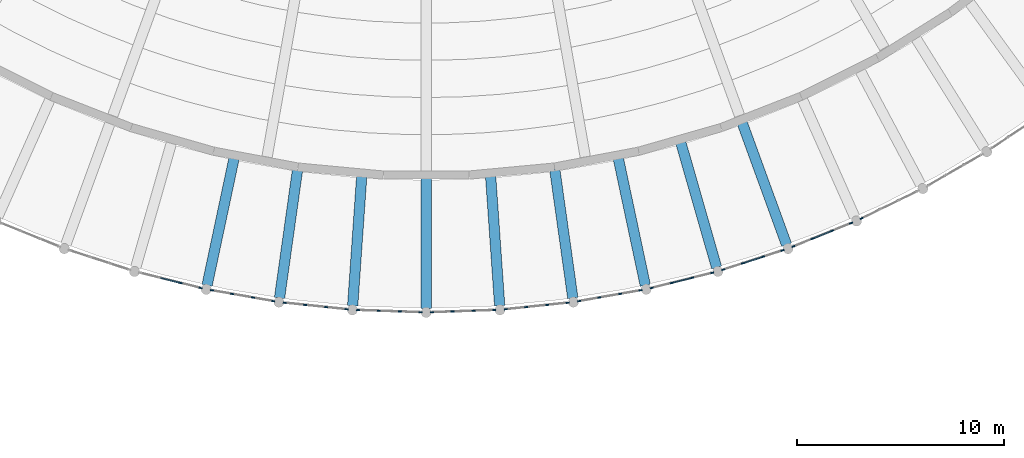
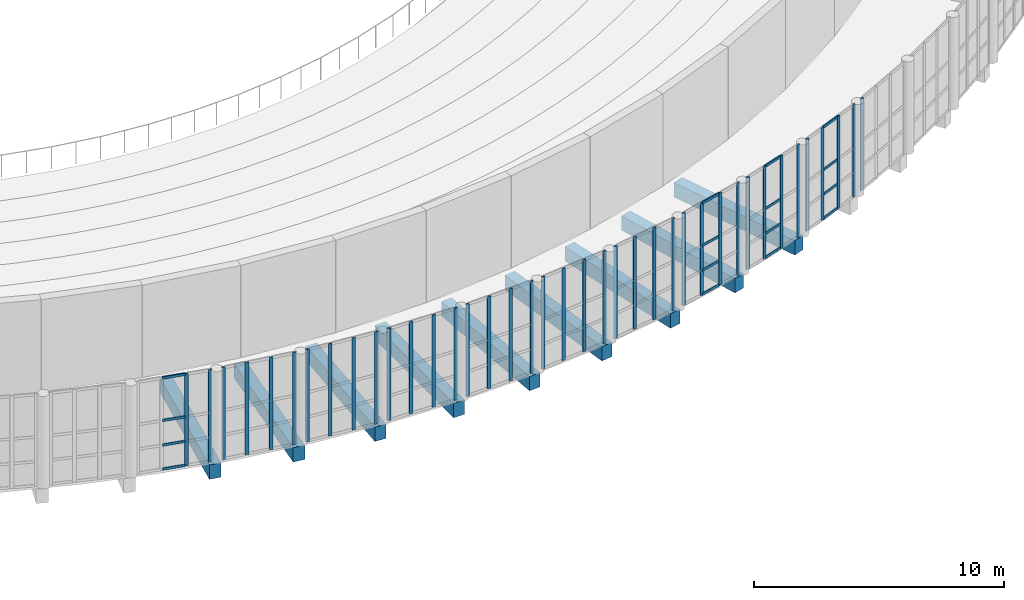
# One storey, part 44 of 162: 55 members, 9 beams, 11 elements without a shape of their own.
"""IFC4 building model written with IfcOpenShell, lengths in metres."""

from ifc_helpers import new_model, si_unit, direction, frame, origin, origin_2d, place, context, subcontext, project, spatial, rectangle, extrude, material, layer, layer_set, material_profile, profile_set, type_object, element, aggregate, save


model = new_model("IFC4")

# Units and contexts
model_context = context("Model", 3, precision=1e-05, world=origin(), true_north=direction((0.0, 1.0)))
body_context = subcontext(model_context, "Body", "Model", "MODEL_VIEW")
ifc_project = project(units=[si_unit("LENGTHUNIT", "METRE"), si_unit("AREAUNIT", "SQUARE_METRE"), si_unit("VOLUMEUNIT", "CUBIC_METRE"), si_unit("PLANEANGLEUNIT", "RADIAN"), si_unit("MASSUNIT", "GRAM", prefix="KILO")], contexts=[model_context])

# Site, building, storey
site_placement = place(None, origin())
site = spatial("IfcSite", under=ifc_project, at=site_placement, CompositionType="ELEMENT")
building_placement = place(site_placement, origin())
building = spatial("IfcBuilding", under=site, at=building_placement, Name="Rain Tree Exposition and Congress Centre", CompositionType="ELEMENT")
storey_placement = place(building_placement, frame((0.0, 0.0, 6.0)))
storey = spatial("IfcBuildingStorey", under=building, at=storey_placement, Name="L01", CompositionType="ELEMENT", Elevation=6.0)

# Curtain wall, members
ifc_material_1 = material(Name="Aluminium", Category="aluminium")
ifc_layer = layer(ifc_material_1, 0.10009765625)
ifc_layer_set = layer_set([ifc_layer], Name="Aluminium")
curtain_wall_type = type_object("IfcCurtainWallType", Name="Curtain wall congress", PredefinedType="NOTDEFINED", material=ifc_layer_set)
curtain_wall_1_placement = place(storey_placement, origin())
curtain_wall_1 = element("IfcCurtainWall", 1, at=curtain_wall_1_placement, inside=storey, type_object=curtain_wall_type, Name="Curtain wall L01 bay 7", PredefinedType="NOTDEFINED")
ifc_material_2 = material(Name="Aluminium", Category="aluminium")
ifc_material_profile_1 = material_profile(ifc_material_2, rectangle(XDim=0.06005859375, YDim=0.159912109375, at=origin_2d()), Name="AL 60x160")
ifc_profile_set_1 = profile_set([ifc_material_profile_1], Name="Aluminium")
member_type_1 = type_object("IfcMemberType", Name="Curtain wall mullion 60x160 congress", PredefinedType="MULLION", material=ifc_profile_set_1)
member_1_placement = place(storey_placement, frame((189.71826171875, 17.42724609375, 0.0), z_axis=(0.0, 0.0, 1.0), x_axis=(0.241923171133, 0.970295408249, 0.0)))
member_1 = element("IfcMember", 2, at=member_1_placement, type_object=member_type_1, Name="CWG207 mullion 3", PredefinedType="MULLION", context=body_context, shape_type="SweptSolid", body=[
    extrude(rectangle(XDim=0.06005859375, YDim=0.159912109375, at=origin_2d()), origin(), (0.0, 0.0, 1.0), 4.5),
])
member_2_placement = place(storey_placement, frame((190.68310546875, 17.1865234375, 0.0), z_axis=(0.0, 0.0, 1.0), x_axis=(0.241923171133, 0.970295408249, 0.0)))
member_2 = element("IfcMember", 3, at=member_2_placement, type_object=member_type_1, Name="CWG207 mullion 4", PredefinedType="MULLION", context=body_context, shape_type="SweptSolid", body=[
    extrude(rectangle(XDim=0.06005859375, YDim=0.159912109375, at=origin_2d()), origin(), (0.0, 0.0, 1.0), 4.5),
])

curtain_wall_2_placement = place(storey_placement, origin())
curtain_wall_2 = element("IfcCurtainWall", 4, at=curtain_wall_2_placement, inside=storey, type_object=curtain_wall_type, Name="Curtain wall L01 bay 8", PredefinedType="NOTDEFINED")
member_3_placement = place(storey_placement, frame((191.230712890625, 17.0703125, 0.0), z_axis=(0.0, 0.0, 1.0), x_axis=(0.173634997701, 0.984810076905, 0.0)))
member_3 = element("IfcMember", 5, at=member_3_placement, type_object=member_type_1, Name="CWG208 mullion 1", PredefinedType="MULLION", context=body_context, shape_type="SweptSolid", body=[
    extrude(rectangle(XDim=0.06005859375, YDim=0.159912109375, at=origin_2d()), origin(), (0.0, 0.0, 1.0), 4.5),
])
member_4_placement = place(storey_placement, frame((192.210205078125, 16.8974609375, 0.0), z_axis=(0.0, 0.0, 1.0), x_axis=(0.173634997701, 0.984810076905, 0.0)))
member_4 = element("IfcMember", 6, at=member_4_placement, type_object=member_type_1, Name="CWG208 mullion 2", PredefinedType="MULLION", context=body_context, shape_type="SweptSolid", body=[
    extrude(rectangle(XDim=0.06005859375, YDim=0.159912109375, at=origin_2d()), origin(), (0.0, 0.0, 1.0), 4.5),
])
member_5_placement = place(storey_placement, frame((193.218994140625, 16.719482421875, 0.0), z_axis=(0.0, 0.0, 1.0), x_axis=(0.173634997701, 0.984810076905, 0.0)))
member_5 = element("IfcMember", 7, at=member_5_placement, type_object=member_type_1, Name="CWG208 mullion 3", PredefinedType="MULLION", context=body_context, shape_type="SweptSolid", body=[
    extrude(rectangle(XDim=0.06005859375, YDim=0.159912109375, at=origin_2d()), origin(), (0.0, 0.0, 1.0), 4.5),
])
member_6_placement = place(storey_placement, frame((194.198486328125, 16.546875, 0.0), z_axis=(0.0, 0.0, 1.0), x_axis=(0.173634997701, 0.984810076905, 0.0)))
member_6 = element("IfcMember", 8, at=member_6_placement, type_object=member_type_1, Name="CWG208 mullion 4", PredefinedType="MULLION", context=body_context, shape_type="SweptSolid", body=[
    extrude(rectangle(XDim=0.06005859375, YDim=0.159912109375, at=origin_2d()), origin(), (0.0, 0.0, 1.0), 4.5),
])
aggregate(curtain_wall_2, [member_3, member_4, member_5, member_6])

curtain_wall_3_placement = place(storey_placement, origin())
curtain_wall_3 = element("IfcCurtainWall", 9, at=curtain_wall_3_placement, inside=storey, type_object=curtain_wall_type, Name="Curtain wall L01 bay 9", PredefinedType="NOTDEFINED")
member_7_placement = place(storey_placement, frame((194.7529296875, 16.468994140625, 0.0), z_axis=(0.0, 0.0, 1.0), x_axis=(0.104501874612, 0.994524689589, 0.0)))
member_7 = element("IfcMember", 10, at=member_7_placement, type_object=member_type_1, Name="CWG209 mullion 1", PredefinedType="MULLION", context=body_context, shape_type="SweptSolid", body=[
    extrude(rectangle(XDim=0.06005859375, YDim=0.159912109375, at=origin_2d()), origin(), (0.0, 0.0, 1.0), 4.5),
])
member_8_placement = place(storey_placement, frame((195.741943359375, 16.364990234375, 0.0), z_axis=(0.0, 0.0, 1.0), x_axis=(0.104501874612, 0.994524689589, 0.0)))
member_8 = element("IfcMember", 11, at=member_8_placement, type_object=member_type_1, Name="CWG209 mullion 2", PredefinedType="MULLION", context=body_context, shape_type="SweptSolid", body=[
    extrude(rectangle(XDim=0.06005859375, YDim=0.159912109375, at=origin_2d()), origin(), (0.0, 0.0, 1.0), 4.5),
])
member_9_placement = place(storey_placement, frame((196.760986328125, 16.258056640625, 0.0), z_axis=(0.0, 0.0, 1.0), x_axis=(0.104501874612, 0.994524689589, 0.0)))
member_9 = element("IfcMember", 12, at=member_9_placement, type_object=member_type_1, Name="CWG209 mullion 3", PredefinedType="MULLION", context=body_context, shape_type="SweptSolid", body=[
    extrude(rectangle(XDim=0.06005859375, YDim=0.159912109375, at=origin_2d()), origin(), (0.0, 0.0, 1.0), 4.5),
])
member_10_placement = place(storey_placement, frame((197.75, 16.154052734375, 0.0), z_axis=(0.0, 0.0, 1.0), x_axis=(0.104501874612, 0.994524689589, 0.0)))
member_10 = element("IfcMember", 13, at=member_10_placement, type_object=member_type_1, Name="CWG209 mullion 4", PredefinedType="MULLION", context=body_context, shape_type="SweptSolid", body=[
    extrude(rectangle(XDim=0.06005859375, YDim=0.159912109375, at=origin_2d()), origin(), (0.0, 0.0, 1.0), 4.5),
])
aggregate(curtain_wall_3, [member_7, member_8, member_9, member_10])

curtain_wall_4_placement = place(storey_placement, origin())
curtain_wall_4 = element("IfcCurtainWall", 14, at=curtain_wall_4_placement, inside=storey, type_object=curtain_wall_type, Name="Curtain wall L01 bay 10", PredefinedType="NOTDEFINED")
member_11_placement = place(storey_placement, frame((198.308349609375, 16.114990234375, 0.0), z_axis=(0.0, 0.0, 1.0), x_axis=(0.03490823366, 0.99939052188, 0.0)))
member_11 = element("IfcMember", 15, at=member_11_placement, type_object=member_type_1, Name="CWG210 mullion 1", PredefinedType="MULLION", context=body_context, shape_type="SweptSolid", body=[
    extrude(rectangle(XDim=0.06005859375, YDim=0.159912109375, at=origin_2d()), origin(), (0.0, 0.0, 1.0), 4.5),
])
member_12_placement = place(storey_placement, frame((199.30224609375, 16.080322265625, 0.0), z_axis=(0.0, 0.0, 1.0), x_axis=(0.03490823366, 0.99939052188, 0.0)))
member_12 = element("IfcMember", 16, at=member_12_placement, type_object=member_type_1, Name="CWG210 mullion 2", PredefinedType="MULLION", context=body_context, shape_type="SweptSolid", body=[
    extrude(rectangle(XDim=0.06005859375, YDim=0.159912109375, at=origin_2d()), origin(), (0.0, 0.0, 1.0), 4.5),
])
member_13_placement = place(storey_placement, frame((200.326171875, 16.04443359375, 0.0), z_axis=(0.0, 0.0, 1.0), x_axis=(0.03490823366, 0.99939052188, 0.0)))
member_13 = element("IfcMember", 17, at=member_13_placement, type_object=member_type_1, Name="CWG210 mullion 3", PredefinedType="MULLION", context=body_context, shape_type="SweptSolid", body=[
    extrude(rectangle(XDim=0.06005859375, YDim=0.159912109375, at=origin_2d()), origin(), (0.0, 0.0, 1.0), 4.5),
])
member_14_placement = place(storey_placement, frame((201.3203125, 16.009765625, 0.0), z_axis=(0.0, 0.0, 1.0), x_axis=(0.03490823366, 0.99939052188, 0.0)))
member_14 = element("IfcMember", 18, at=member_14_placement, type_object=member_type_1, Name="CWG210 mullion 4", PredefinedType="MULLION", context=body_context, shape_type="SweptSolid", body=[
    extrude(rectangle(XDim=0.06005859375, YDim=0.159912109375, at=origin_2d()), origin(), (0.0, 0.0, 1.0), 4.5),
])
aggregate(curtain_wall_4, [member_11, member_12, member_13, member_14])

curtain_wall_5_placement = place(storey_placement, origin())
curtain_wall_5 = element("IfcCurtainWall", 19, at=curtain_wall_5_placement, inside=storey, type_object=curtain_wall_type, Name="Curtain wall L01 bay 11", PredefinedType="NOTDEFINED")
member_15_placement = place(storey_placement, frame((201.8798828125, 16.009765625, 0.0), z_axis=(0.0, 0.0, 1.0), x_axis=(-0.03490823366, 0.99939052188, 0.0)))
member_15 = element("IfcMember", 20, at=member_15_placement, type_object=member_type_1, Name="CWG211 mullion 1", PredefinedType="MULLION", context=body_context, shape_type="SweptSolid", body=[
    extrude(rectangle(XDim=0.06005859375, YDim=0.159912109375, at=origin_2d()), origin(), (0.0, 0.0, 1.0), 4.5),
])
member_16_placement = place(storey_placement, frame((202.873779296875, 16.04443359375, 0.0), z_axis=(0.0, 0.0, 1.0), x_axis=(-0.03490823366, 0.99939052188, 0.0)))
member_16 = element("IfcMember", 21, at=member_16_placement, type_object=member_type_1, Name="CWG211 mullion 2", PredefinedType="MULLION", context=body_context, shape_type="SweptSolid", body=[
    extrude(rectangle(XDim=0.06005859375, YDim=0.159912109375, at=origin_2d()), origin(), (0.0, 0.0, 1.0), 4.5),
])
member_17_placement = place(storey_placement, frame((203.897705078125, 16.080322265625, 0.0), z_axis=(0.0, 0.0, 1.0), x_axis=(-0.03490823366, 0.99939052188, 0.0)))
member_17 = element("IfcMember", 22, at=member_17_placement, type_object=member_type_1, Name="CWG211 mullion 3", PredefinedType="MULLION", context=body_context, shape_type="SweptSolid", body=[
    extrude(rectangle(XDim=0.06005859375, YDim=0.159912109375, at=origin_2d()), origin(), (0.0, 0.0, 1.0), 4.5),
])
member_18_placement = place(storey_placement, frame((204.8916015625, 16.114990234375, 0.0), z_axis=(0.0, 0.0, 1.0), x_axis=(-0.03490823366, 0.99939052188, 0.0)))
member_18 = element("IfcMember", 23, at=member_18_placement, type_object=member_type_1, Name="CWG211 mullion 4", PredefinedType="MULLION", context=body_context, shape_type="SweptSolid", body=[
    extrude(rectangle(XDim=0.06005859375, YDim=0.159912109375, at=origin_2d()), origin(), (0.0, 0.0, 1.0), 4.5),
])
aggregate(curtain_wall_5, [member_15, member_16, member_17, member_18])

curtain_wall_6_placement = place(storey_placement, origin())
curtain_wall_6 = element("IfcCurtainWall", 24, at=curtain_wall_6_placement, inside=storey, type_object=curtain_wall_type, Name="Curtain wall L01 bay 12", PredefinedType="NOTDEFINED")
member_19_placement = place(storey_placement, frame((205.449951171875, 16.154052734375, 0.0), z_axis=(0.0, 0.0, 1.0), x_axis=(-0.104501874612, 0.994524689589, 0.0)))
member_19 = element("IfcMember", 25, at=member_19_placement, type_object=member_type_1, Name="CWG212 mullion 1", PredefinedType="MULLION", context=body_context, shape_type="SweptSolid", body=[
    extrude(rectangle(XDim=0.06005859375, YDim=0.159912109375, at=origin_2d()), origin(), (0.0, 0.0, 1.0), 4.5),
])
member_20_placement = place(storey_placement, frame((206.439208984375, 16.258056640625, 0.0), z_axis=(0.0, 0.0, 1.0), x_axis=(-0.104501874612, 0.994524689589, 0.0)))
member_20 = element("IfcMember", 26, at=member_20_placement, type_object=member_type_1, Name="CWG212 mullion 2", PredefinedType="MULLION", context=body_context, shape_type="SweptSolid", body=[
    extrude(rectangle(XDim=0.06005859375, YDim=0.159912109375, at=origin_2d()), origin(), (0.0, 0.0, 1.0), 4.5),
])
member_21_placement = place(storey_placement, frame((207.4580078125, 16.364990234375, 0.0), z_axis=(0.0, 0.0, 1.0), x_axis=(-0.104501874612, 0.994524689589, 0.0)))
member_21 = element("IfcMember", 27, at=member_21_placement, type_object=member_type_1, Name="CWG212 mullion 3", PredefinedType="MULLION", context=body_context, shape_type="SweptSolid", body=[
    extrude(rectangle(XDim=0.06005859375, YDim=0.159912109375, at=origin_2d()), origin(), (0.0, 0.0, 1.0), 4.5),
])
member_22_placement = place(storey_placement, frame((208.447265625, 16.468994140625, 0.0), z_axis=(0.0, 0.0, 1.0), x_axis=(-0.104501874612, 0.994524689589, 0.0)))
member_22 = element("IfcMember", 28, at=member_22_placement, type_object=member_type_1, Name="CWG212 mullion 4", PredefinedType="MULLION", context=body_context, shape_type="SweptSolid", body=[
    extrude(rectangle(XDim=0.06005859375, YDim=0.159912109375, at=origin_2d()), origin(), (0.0, 0.0, 1.0), 4.5),
])
aggregate(curtain_wall_6, [member_19, member_20, member_21, member_22])

curtain_wall_7_placement = place(storey_placement, origin())
curtain_wall_7 = element("IfcCurtainWall", 29, at=curtain_wall_7_placement, inside=storey, type_object=curtain_wall_type, Name="Curtain wall L01 bay 13", PredefinedType="NOTDEFINED")
member_23_placement = place(storey_placement, frame((209.00146484375, 16.546875, 0.0), z_axis=(0.0, 0.0, 1.0), x_axis=(-0.173634997701, 0.984810076905, 0.0)))
member_23 = element("IfcMember", 30, at=member_23_placement, type_object=member_type_1, Name="CWG213 mullion 1", PredefinedType="MULLION", context=body_context, shape_type="SweptSolid", body=[
    extrude(rectangle(XDim=0.06005859375, YDim=0.159912109375, at=origin_2d()), origin(), (0.0, 0.0, 1.0), 4.5),
])
member_24_placement = place(storey_placement, frame((209.98095703125, 16.719482421875, 0.0), z_axis=(0.0, 0.0, 1.0), x_axis=(-0.173634997701, 0.984810076905, 0.0)))
member_24 = element("IfcMember", 31, at=member_24_placement, type_object=member_type_1, Name="CWG213 mullion 2", PredefinedType="MULLION", context=body_context, shape_type="SweptSolid", body=[
    extrude(rectangle(XDim=0.06005859375, YDim=0.159912109375, at=origin_2d()), origin(), (0.0, 0.0, 1.0), 4.5),
])
member_25_placement = place(storey_placement, frame((210.989990234375, 16.8974609375, 0.0), z_axis=(0.0, 0.0, 1.0), x_axis=(-0.173634997701, 0.984810076905, 0.0)))
member_25 = element("IfcMember", 32, at=member_25_placement, type_object=member_type_1, Name="CWG213 mullion 3", PredefinedType="MULLION", context=body_context, shape_type="SweptSolid", body=[
    extrude(rectangle(XDim=0.06005859375, YDim=0.159912109375, at=origin_2d()), origin(), (0.0, 0.0, 1.0), 4.5),
])
member_26_placement = place(storey_placement, frame((211.96923828125, 17.0703125, 0.0), z_axis=(0.0, 0.0, 1.0), x_axis=(-0.173634997701, 0.984810076905, 0.0)))
member_26 = element("IfcMember", 33, at=member_26_placement, type_object=member_type_1, Name="CWG213 mullion 4", PredefinedType="MULLION", context=body_context, shape_type="SweptSolid", body=[
    extrude(rectangle(XDim=0.06005859375, YDim=0.159912109375, at=origin_2d()), origin(), (0.0, 0.0, 1.0), 4.5),
])
aggregate(curtain_wall_7, [member_23, member_24, member_25, member_26])

curtain_wall_8_placement = place(storey_placement, origin())
curtain_wall_8 = element("IfcCurtainWall", 34, at=curtain_wall_8_placement, inside=storey, type_object=curtain_wall_type, Name="Curtain wall L01 bay 14", PredefinedType="NOTDEFINED")
member_27_placement = place(storey_placement, frame((212.516845703125, 17.1865234375, 0.0), z_axis=(0.0, 0.0, 1.0), x_axis=(-0.241923171133, 0.970295408249, 0.0)))
member_27 = element("IfcMember", 35, at=member_27_placement, type_object=member_type_1, Name="CWG214 mullion 1", PredefinedType="MULLION", context=body_context, shape_type="SweptSolid", body=[
    extrude(rectangle(XDim=0.06005859375, YDim=0.159912109375, at=origin_2d()), origin(), (0.0, 0.0, 1.0), 4.5),
])
member_28_placement = place(storey_placement, frame((213.48193359375, 17.42724609375, 0.0), z_axis=(0.0, 0.0, 1.0), x_axis=(-0.241923171133, 0.970295408249, 0.0)))
member_28 = element("IfcMember", 36, at=member_28_placement, type_object=member_type_1, Name="CWG214 mullion 2", PredefinedType="MULLION", context=body_context, shape_type="SweptSolid", body=[
    extrude(rectangle(XDim=0.06005859375, YDim=0.159912109375, at=origin_2d()), origin(), (0.0, 0.0, 1.0), 4.5),
])
member_29_placement = place(storey_placement, frame((214.47607421875, 17.675048828125, 0.0), z_axis=(0.0, 0.0, 1.0), x_axis=(-0.241923171133, 0.970295408249, 0.0)))
member_29 = element("IfcMember", 37, at=member_29_placement, type_object=member_type_1, Name="CWG214 mullion 3", PredefinedType="MULLION", context=body_context, shape_type="SweptSolid", body=[
    extrude(rectangle(XDim=0.06005859375, YDim=0.159912109375, at=origin_2d()), origin(), (0.0, 0.0, 1.0), 4.5),
])
member_30_placement = place(storey_placement, frame((215.44091796875, 17.91552734375, 0.0), z_axis=(0.0, 0.0, 1.0), x_axis=(-0.241923171133, 0.970295408249, 0.0)))
member_30 = element("IfcMember", 38, at=member_30_placement, type_object=member_type_1, Name="CWG214 mullion 4", PredefinedType="MULLION", context=body_context, shape_type="SweptSolid", body=[
    extrude(rectangle(XDim=0.06005859375, YDim=0.159912109375, at=origin_2d()), origin(), (0.0, 0.0, 1.0), 4.5),
])

curtain_wall_9_placement = place(storey_placement, origin())
curtain_wall_9 = element("IfcCurtainWall", 39, at=curtain_wall_9_placement, inside=storey, type_object=curtain_wall_type, Name="Curtain wall L01 bay 15", PredefinedType="NOTDEFINED")
member_31_placement = place(storey_placement, frame((215.97900390625, 18.070068359375, 0.0), z_axis=(0.0, 0.0, 1.0), x_axis=(-0.309005886225, 0.95106012548, 0.0)))
member_31 = element("IfcMember", 40, at=member_31_placement, type_object=member_type_1, Name="CWG215 mullion 1", PredefinedType="MULLION", context=body_context, shape_type="SweptSolid", body=[
    extrude(rectangle(XDim=0.06005859375, YDim=0.159912109375, at=origin_2d()), origin(), (0.0, 0.0, 1.0), 4.5),
])
member_32_placement = place(storey_placement, frame((216.9248046875, 18.377197265625, 0.0), z_axis=(0.0, 0.0, 1.0), x_axis=(-0.309005886225, 0.95106012548, 0.0)))
member_32 = element("IfcMember", 41, at=member_32_placement, type_object=member_type_1, Name="CWG215 mullion 2", PredefinedType="MULLION", context=body_context, shape_type="SweptSolid", body=[
    extrude(rectangle(XDim=0.06005859375, YDim=0.159912109375, at=origin_2d()), origin(), (0.0, 0.0, 1.0), 4.5),
])
member_33_placement = place(storey_placement, frame((217.899169921875, 18.69384765625, 0.0), z_axis=(0.0, 0.0, 1.0), x_axis=(-0.309005886225, 0.95106012548, 0.0)))
member_33 = element("IfcMember", 42, at=member_33_placement, type_object=member_type_1, Name="CWG215 mullion 3", PredefinedType="MULLION", context=body_context, shape_type="SweptSolid", body=[
    extrude(rectangle(XDim=0.06005859375, YDim=0.159912109375, at=origin_2d()), origin(), (0.0, 0.0, 1.0), 4.5),
])
member_34_placement = place(storey_placement, frame((218.84521484375, 19.001220703125, 0.0), z_axis=(0.0, 0.0, 1.0), x_axis=(-0.309005886225, 0.95106012548, 0.0)))
member_34 = element("IfcMember", 43, at=member_34_placement, type_object=member_type_1, Name="CWG215 mullion 4", PredefinedType="MULLION", context=body_context, shape_type="SweptSolid", body=[
    extrude(rectangle(XDim=0.06005859375, YDim=0.159912109375, at=origin_2d()), origin(), (0.0, 0.0, 1.0), 4.5),
])

curtain_wall_10_placement = place(storey_placement, origin())
curtain_wall_10 = element("IfcCurtainWall", 44, at=curtain_wall_10_placement, inside=storey, type_object=curtain_wall_type, Name="Curtain wall L01 bay 16", PredefinedType="NOTDEFINED")
member_35_placement = place(storey_placement, frame((219.37109375, 19.192626953125, 0.0), z_axis=(0.0, 0.0, 1.0), x_axis=(-0.374596988714, 0.92718773506, 0.0)))
member_35 = element("IfcMember", 45, at=member_35_placement, type_object=member_type_1, Name="CWG216 mullion 1", PredefinedType="MULLION", context=body_context, shape_type="SweptSolid", body=[
    extrude(rectangle(XDim=0.06005859375, YDim=0.159912109375, at=origin_2d()), origin(), (0.0, 0.0, 1.0), 4.5),
])
member_36_placement = place(storey_placement, frame((220.293212890625, 19.565185546875, 0.0), z_axis=(0.0, 0.0, 1.0), x_axis=(-0.374596988714, 0.92718773506, 0.0)))
member_36 = element("IfcMember", 46, at=member_36_placement, type_object=member_type_1, Name="CWG216 mullion 2", PredefinedType="MULLION", context=body_context, shape_type="SweptSolid", body=[
    extrude(rectangle(XDim=0.06005859375, YDim=0.159912109375, at=origin_2d()), origin(), (0.0, 0.0, 1.0), 4.5),
])
member_37_placement = place(storey_placement, frame((221.2431640625, 19.948974609375, 0.0), z_axis=(0.0, 0.0, 1.0), x_axis=(-0.374596988714, 0.92718773506, 0.0)))
member_37 = element("IfcMember", 47, at=member_37_placement, type_object=member_type_1, Name="CWG216 mullion 3", PredefinedType="MULLION", context=body_context, shape_type="SweptSolid", body=[
    extrude(rectangle(XDim=0.06005859375, YDim=0.159912109375, at=origin_2d()), origin(), (0.0, 0.0, 1.0), 4.5),
])
member_38_placement = place(storey_placement, frame((222.165283203125, 20.321533203125, 0.0), z_axis=(0.0, 0.0, 1.0), x_axis=(-0.374596988714, 0.92718773506, 0.0)))
member_38 = element("IfcMember", 48, at=member_38_placement, type_object=member_type_1, Name="CWG216 mullion 4", PredefinedType="MULLION", context=body_context, shape_type="SweptSolid", body=[
    extrude(rectangle(XDim=0.06005859375, YDim=0.159912109375, at=origin_2d()), origin(), (0.0, 0.0, 1.0), 4.5),
])

# Curtain wall, member
curtain_wall_11_placement = place(storey_placement, origin())
curtain_wall_11 = element("IfcCurtainWall", 49, at=curtain_wall_11_placement, inside=storey, type_object=curtain_wall_type, Name="Curtain wall L01 bay 17", PredefinedType="NOTDEFINED")
member_39_placement = place(storey_placement, frame((222.676513671875, 20.54931640625, 0.0), z_axis=(0.0, 0.0, 1.0), x_axis=(-0.438368505628, 0.898795334475, 0.0)))
member_39 = element("IfcMember", 50, at=member_39_placement, type_object=member_type_1, Name="CWG217 mullion 1", PredefinedType="MULLION", context=body_context, shape_type="SweptSolid", body=[
    extrude(rectangle(XDim=0.06005859375, YDim=0.159912109375, at=origin_2d()), origin(), (0.0, 0.0, 1.0), 4.5),
])
aggregate(curtain_wall_11, [member_39])

# Member
ifc_material_3 = material(Name="Aluminium", Category="aluminium")
ifc_material_profile_2 = material_profile(ifc_material_3, rectangle(XDim=0.06005859375, YDim=0.1201171875, at=origin_2d()), Name="AL 60x120")
ifc_profile_set_2 = profile_set([ifc_material_profile_2], Name="Aluminium")
member_type_2 = type_object("IfcMemberType", Name="Curtain wall transom 60x120 congress", PredefinedType="USERDEFINED", material=ifc_profile_set_2)
member_40_placement = place(storey_placement, frame((188.753173828125, 17.667724609375, 0.030029296875), z_axis=(0.970276366061, -0.241999531947, 0.0), x_axis=(0.241999531947, 0.970276366061, 0.0)))
member_40 = element("IfcMember", 51, at=member_40_placement, type_object=member_type_2, Name="CWG207 transom 2.1", ObjectType="TRANSOM", PredefinedType="USERDEFINED", context=body_context, shape_type="SweptSolid", body=[
    extrude(rectangle(XDim=0.06005859375, YDim=0.1201171875, at=origin_2d()), origin(), (0.0, 0.0, 1.0), 0.96435546875),
])

member_41_placement = place(storey_placement, frame((188.753173828125, 17.667724609375, 1.199951171875), z_axis=(0.970276366061, -0.241999531947, 0.0), x_axis=(0.241999531947, 0.970276366061, 0.0)))
member_41 = element("IfcMember", 52, at=member_41_placement, type_object=member_type_2, Name="CWG207 transom 2.2", ObjectType="TRANSOM", PredefinedType="USERDEFINED", context=body_context, shape_type="SweptSolid", body=[
    extrude(rectangle(XDim=0.06005859375, YDim=0.1201171875, at=origin_2d()), origin(), (0.0, 0.0, 1.0), 0.96435546875),
])

member_42_placement = place(storey_placement, frame((188.753173828125, 17.667724609375, 2.39990234375), z_axis=(0.970276366061, -0.241999531947, 0.0), x_axis=(0.241999531947, 0.970276366061, 0.0)))
member_42 = element("IfcMember", 53, at=member_42_placement, type_object=member_type_2, Name="CWG207 transom 2.3", ObjectType="TRANSOM", PredefinedType="USERDEFINED", context=body_context, shape_type="SweptSolid", body=[
    extrude(rectangle(XDim=0.06005859375, YDim=0.1201171875, at=origin_2d()), origin(), (0.0, 0.0, 1.0), 0.96435546875),
])

member_43_placement = place(storey_placement, frame((188.753173828125, 17.667724609375, 4.469970703125), z_axis=(0.970276366061, -0.241999531947, 0.0), x_axis=(0.241999531947, 0.970276366061, 0.0)))
member_43 = element("IfcMember", 54, at=member_43_placement, type_object=member_type_2, Name="CWG207 transom 2.4", ObjectType="TRANSOM", PredefinedType="USERDEFINED", context=body_context, shape_type="SweptSolid", body=[
    extrude(rectangle(XDim=0.06005859375, YDim=0.1201171875, at=origin_2d()), origin(), (0.0, 0.0, 1.0), 0.96435546875),
])

aggregate(curtain_wall_1, [member_1, member_2, member_40, member_41, member_42, member_43])

member_44_placement = place(storey_placement, frame((213.510986328125, 17.434326171875, 0.030029296875), z_axis=(0.970276366061, 0.241999531947, 0.0), x_axis=(-0.241999531947, 0.970276366061, 0.0)))
member_44 = element("IfcMember", 55, at=member_44_placement, type_object=member_type_2, Name="CWG214 transom 2.1", ObjectType="TRANSOM", PredefinedType="USERDEFINED", context=body_context, shape_type="SweptSolid", body=[
    extrude(rectangle(XDim=0.06005859375, YDim=0.1201171875, at=origin_2d()), origin(), (0.0, 0.0, 1.0), 0.96435546875),
])

member_45_placement = place(storey_placement, frame((213.510986328125, 17.434326171875, 1.199951171875), z_axis=(0.970276366061, 0.241999531947, 0.0), x_axis=(-0.241999531947, 0.970276366061, 0.0)))
member_45 = element("IfcMember", 56, at=member_45_placement, type_object=member_type_2, Name="CWG214 transom 2.2", ObjectType="TRANSOM", PredefinedType="USERDEFINED", context=body_context, shape_type="SweptSolid", body=[
    extrude(rectangle(XDim=0.06005859375, YDim=0.1201171875, at=origin_2d()), origin(), (0.0, 0.0, 1.0), 0.96435546875),
])

member_46_placement = place(storey_placement, frame((213.510986328125, 17.434326171875, 2.39990234375), z_axis=(0.970276366061, 0.241999531947, 0.0), x_axis=(-0.241999531947, 0.970276366061, 0.0)))
member_46 = element("IfcMember", 57, at=member_46_placement, type_object=member_type_2, Name="CWG214 transom 2.3", ObjectType="TRANSOM", PredefinedType="USERDEFINED", context=body_context, shape_type="SweptSolid", body=[
    extrude(rectangle(XDim=0.06005859375, YDim=0.1201171875, at=origin_2d()), origin(), (0.0, 0.0, 1.0), 0.96435546875),
])

member_47_placement = place(storey_placement, frame((213.510986328125, 17.434326171875, 4.469970703125), z_axis=(0.970276366061, 0.241999531947, 0.0), x_axis=(-0.241999531947, 0.970276366061, 0.0)))
member_47 = element("IfcMember", 58, at=member_47_placement, type_object=member_type_2, Name="CWG214 transom 2.4", ObjectType="TRANSOM", PredefinedType="USERDEFINED", context=body_context, shape_type="SweptSolid", body=[
    extrude(rectangle(XDim=0.06005859375, YDim=0.1201171875, at=origin_2d()), origin(), (0.0, 0.0, 1.0), 0.96435546875),
])

aggregate(curtain_wall_8, [member_27, member_28, member_29, member_30, member_44, member_45, member_46, member_47])

member_48_placement = place(storey_placement, frame((216.953369140625, 18.386474609375, 0.030029296875), z_axis=(0.951060102584, 0.309005956694, 0.0), x_axis=(-0.309005956694, 0.951060102584, 0.0)))
member_48 = element("IfcMember", 59, at=member_48_placement, type_object=member_type_2, Name="CWG215 transom 2.1", ObjectType="TRANSOM", PredefinedType="USERDEFINED", context=body_context, shape_type="SweptSolid", body=[
    extrude(rectangle(XDim=0.06005859375, YDim=0.1201171875, at=origin_2d()), origin(), (0.0, 0.0, 1.0), 0.964599609375),
])

member_49_placement = place(storey_placement, frame((216.953369140625, 18.386474609375, 1.199951171875), z_axis=(0.951060102584, 0.309005956694, 0.0), x_axis=(-0.309005956694, 0.951060102584, 0.0)))
member_49 = element("IfcMember", 60, at=member_49_placement, type_object=member_type_2, Name="CWG215 transom 2.2", ObjectType="TRANSOM", PredefinedType="USERDEFINED", context=body_context, shape_type="SweptSolid", body=[
    extrude(rectangle(XDim=0.06005859375, YDim=0.1201171875, at=origin_2d()), origin(), (0.0, 0.0, 1.0), 0.964599609375),
])

member_50_placement = place(storey_placement, frame((216.953369140625, 18.386474609375, 2.39990234375), z_axis=(0.951060102584, 0.309005956694, 0.0), x_axis=(-0.309005956694, 0.951060102584, 0.0)))
member_50 = element("IfcMember", 61, at=member_50_placement, type_object=member_type_2, Name="CWG215 transom 2.3", ObjectType="TRANSOM", PredefinedType="USERDEFINED", context=body_context, shape_type="SweptSolid", body=[
    extrude(rectangle(XDim=0.06005859375, YDim=0.1201171875, at=origin_2d()), origin(), (0.0, 0.0, 1.0), 0.964599609375),
])

member_51_placement = place(storey_placement, frame((216.953369140625, 18.386474609375, 4.469970703125), z_axis=(0.951060102584, 0.309005956694, 0.0), x_axis=(-0.309005956694, 0.951060102584, 0.0)))
member_51 = element("IfcMember", 62, at=member_51_placement, type_object=member_type_2, Name="CWG215 transom 2.4", ObjectType="TRANSOM", PredefinedType="USERDEFINED", context=body_context, shape_type="SweptSolid", body=[
    extrude(rectangle(XDim=0.06005859375, YDim=0.1201171875, at=origin_2d()), origin(), (0.0, 0.0, 1.0), 0.964599609375),
])

aggregate(curtain_wall_9, [member_31, member_32, member_33, member_34, member_48, member_49, member_50, member_51])

member_52_placement = place(storey_placement, frame((220.321044921875, 19.576416015625, 0.030029296875), z_axis=(0.927179288599, 0.374617894384, 0.0), x_axis=(-0.374617894384, 0.927179288599, 0.0)))
member_52 = element("IfcMember", 63, at=member_52_placement, type_object=member_type_2, Name="CWG216 transom 2.1", ObjectType="TRANSOM", PredefinedType="USERDEFINED", context=body_context, shape_type="SweptSolid", body=[
    extrude(rectangle(XDim=0.06005859375, YDim=0.1201171875, at=origin_2d()), origin(), (0.0, 0.0, 1.0), 0.964599609375),
])

member_53_placement = place(storey_placement, frame((220.321044921875, 19.576416015625, 1.199951171875), z_axis=(0.927179288599, 0.374617894384, 0.0), x_axis=(-0.374617894384, 0.927179288599, 0.0)))
member_53 = element("IfcMember", 64, at=member_53_placement, type_object=member_type_2, Name="CWG216 transom 2.2", ObjectType="TRANSOM", PredefinedType="USERDEFINED", context=body_context, shape_type="SweptSolid", body=[
    extrude(rectangle(XDim=0.06005859375, YDim=0.1201171875, at=origin_2d()), origin(), (0.0, 0.0, 1.0), 0.964599609375),
])

member_54_placement = place(storey_placement, frame((220.321044921875, 19.576416015625, 2.39990234375), z_axis=(0.927179288599, 0.374617894384, 0.0), x_axis=(-0.374617894384, 0.927179288599, 0.0)))
member_54 = element("IfcMember", 65, at=member_54_placement, type_object=member_type_2, Name="CWG216 transom 2.3", ObjectType="TRANSOM", PredefinedType="USERDEFINED", context=body_context, shape_type="SweptSolid", body=[
    extrude(rectangle(XDim=0.06005859375, YDim=0.1201171875, at=origin_2d()), origin(), (0.0, 0.0, 1.0), 0.964599609375),
])

member_55_placement = place(storey_placement, frame((220.321044921875, 19.576416015625, 4.469970703125), z_axis=(0.927179288599, 0.374617894384, 0.0), x_axis=(-0.374617894384, 0.927179288599, 0.0)))
member_55 = element("IfcMember", 66, at=member_55_placement, type_object=member_type_2, Name="CWG216 transom 2.4", ObjectType="TRANSOM", PredefinedType="USERDEFINED", context=body_context, shape_type="SweptSolid", body=[
    extrude(rectangle(XDim=0.06005859375, YDim=0.1201171875, at=origin_2d()), origin(), (0.0, 0.0, 1.0), 0.964599609375),
])

aggregate(curtain_wall_10, [member_35, member_36, member_37, member_38, member_52, member_53, member_54, member_55])

# Beams
ifc_material_4 = material(Name="Precast concrete C50/60", Category="concrete")
ifc_material_profile_3 = material_profile(ifc_material_4, rectangle(XDim=0.5, YDim=0.699951171875, at=origin_2d()), Name="RC 500x700")
ifc_profile_set_3 = profile_set([ifc_material_profile_3], Name="Precast concrete C50/60")
beam_type = type_object("IfcBeamType", Name="Precast beam 500x700", PredefinedType="BEAM", material=ifc_profile_set_3)
for number, where, z_axis, x_axis, name in (
    (67, (192.306396484375, 23.476806640625, -0.64990234375), (-0.207906493586, -0.978148705425, 0.0), (0.978148705425, -0.207906493586, 0.0), "Promenade beam"),
    (68, (195.37890625, 22.93505859375, -0.64990234375), (-0.139158641769, -0.990270100741, 0.0), (0.990270100741, -0.139158641769, 0.0), "Promenade beam"),
    (69, (198.48193359375, 22.60888671875, -0.64990234375), (-0.069754314438, -0.997564201251, 0.0), (0.997564201251, -0.069754314438, 0.0), "Promenade beam"),
    (70, (201.60009765625, 22.5, -0.64990234375), (0.0, -1.0, 0.0), (1.0, 0.0, 0.0), "Promenade beam"),
    (71, (204.718017578125, 22.60888671875, -0.64990234375), (0.069792878122, -0.99756150395, 0.0), (0.99756150395, 0.069792878122, 0.0), "Promenade beam"),
    (72, (207.821044921875, 22.93505859375, -0.64990234375), (0.139158641769, -0.990270100741, 0.0), (0.990270100741, 0.139158641769, 0.0), "Promenade beam"),
    (73, (210.893798828125, 23.476806640625, -0.64990234375), (0.207906493586, -0.978148705425, 0.0), (0.978148705425, 0.207906493586, 0.0), "Promenade beam"),
    (74, (213.9208984375, 24.231689453125, -0.64990234375), (0.275647407431, -0.961258813627, 0.0), (0.961258813627, 0.275647407431, 0.0), "Promenade beam"),
    (75, (216.88818359375, 25.19580078125, -0.64990234375), (0.342023078919, -0.939691552312, 0.0), (0.939691552312, 0.342023078919, 0.0), "Promenade beam"),
):
    element("IfcBeam", number, at=place(storey_placement, frame(where, z_axis=z_axis, x_axis=x_axis)), inside=storey, type_object=beam_type, Name=name, PredefinedType="BEAM", context=body_context, shape_type="SweptSolid", body=[
        extrude(rectangle(XDim=0.5, YDim=0.699951171875, at=origin_2d()), origin(), (0.0, 0.0, 1.0), 6.300048828125),
    ])

save(model, "model.ifc")
